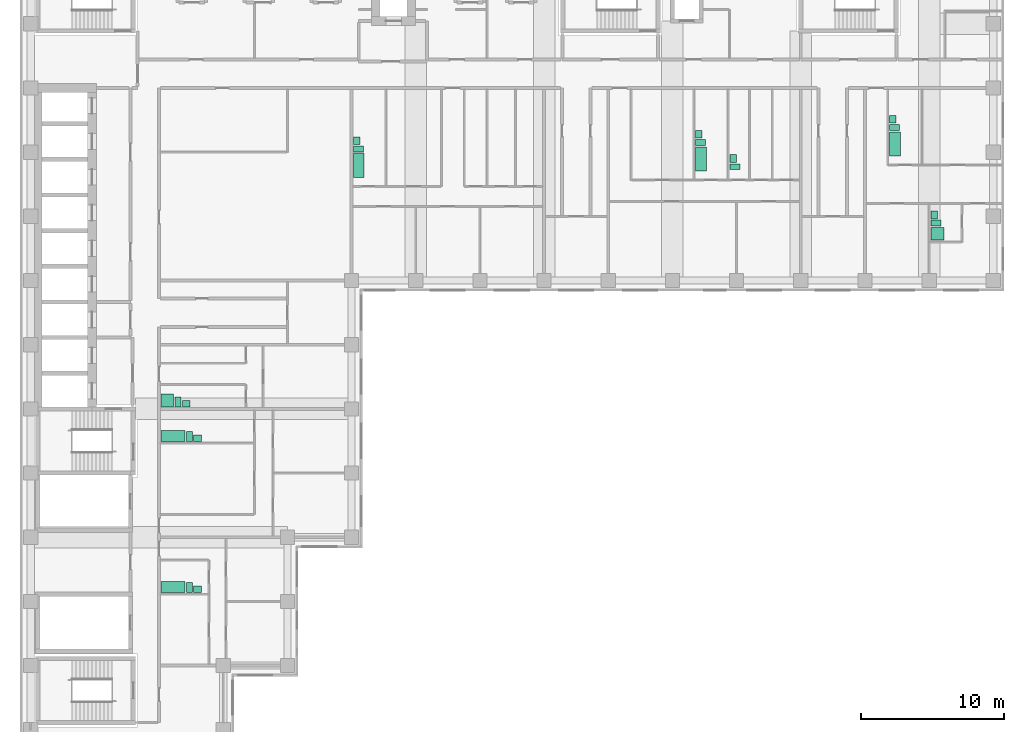
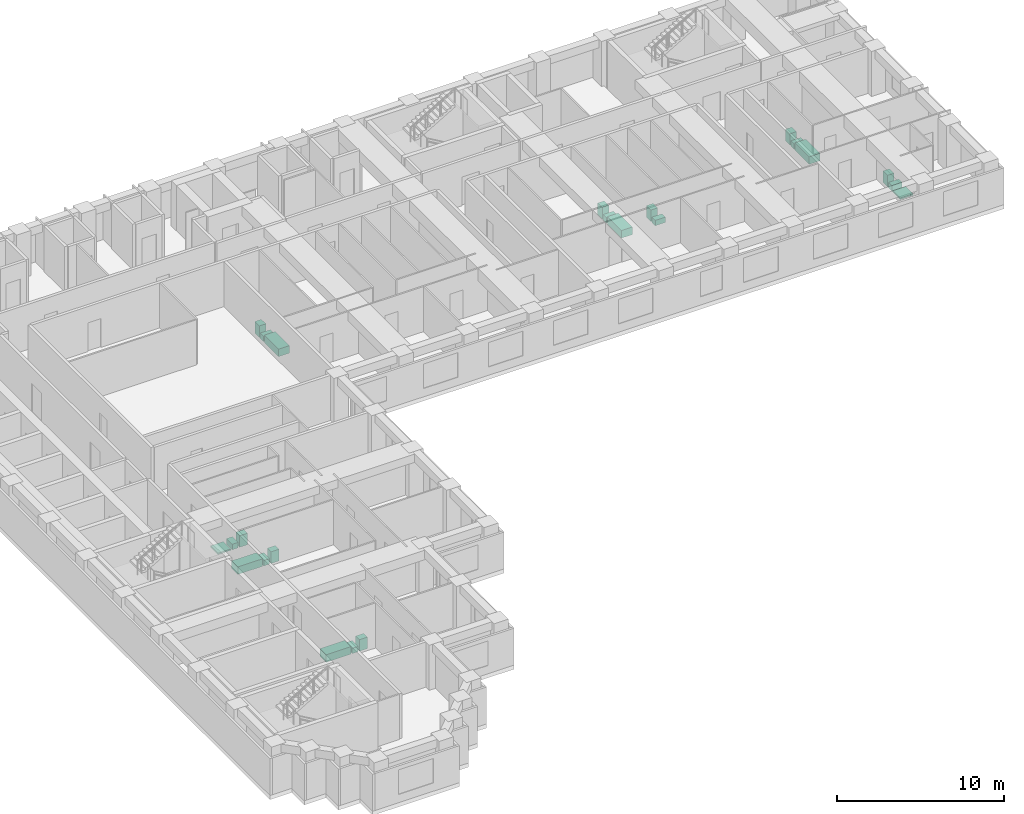
# One storey, part 11 of 11: 23 sanitary terminals.
"""IFC4 building model written with IfcOpenShell, lengths in metres."""

from ifc_helpers import new_model, si_unit, direction, frame, origin, origin_2d, place, context, subcontext, project, spatial, rectangle, extrude, material, type_object, element, save


model = new_model("IFC4")

# Units and contexts
model_context = context("Model", 3, precision=1e-05, world=origin(), true_north=direction((0.0, 1.0)))
body_context = subcontext(model_context, "Body", "Model", "MODEL_VIEW")
ifc_project = project(units=[si_unit("LENGTHUNIT", "METRE"), si_unit("AREAUNIT", "SQUARE_METRE"), si_unit("VOLUMEUNIT", "CUBIC_METRE"), si_unit("PLANEANGLEUNIT", "RADIAN"), si_unit("MASSUNIT", "GRAM", prefix="KILO")], contexts=[model_context])

# Site, building, storey
site_placement = place(None, origin())
site = spatial("IfcSite", under=ifc_project, at=site_placement, CompositionType="ELEMENT")
building_placement = place(site_placement, origin())
building = spatial("IfcBuilding", under=site, at=building_placement, Name="Firuza Court", CompositionType="ELEMENT")
storey_placement = place(building_placement, frame((0.0, 0.0, 134.0)))
storey = spatial("IfcBuildingStorey", under=building, at=storey_placement, Name="L33", CompositionType="ELEMENT", Elevation=134.0)

# Sanitary terminals
ifc_material_1 = material(Name="Vitreous china", Category="ceramic")
sanitary_terminal_type_1 = type_object("IfcSanitaryTerminalType", Name="Fixture Bath", PredefinedType="BATH", material=ifc_material_1)
for number, where, z_axis, x_axis, name in (
    (1, (23.0048828125, 44.080078125, 0.0), (0.0, 0.0, 1.0), (1.0, 0.0, 0.0), "Bath"),
    (2, (47.0048828125, 44.530029296875, 0.0), (0.0, 0.0, 1.0), (1.0, 0.0, 0.0), "Bath"),
    (3, (60.60498046875, 45.580078125, 0.0), (0.0, 0.0, 1.0), (1.0, 0.0, 0.0), "Bath"),
):
    element("IfcSanitaryTerminal", number, at=place(storey_placement, frame(where, z_axis=z_axis, x_axis=x_axis)), inside=storey, type_object=sanitary_terminal_type_1, Name=name, PredefinedType="BATH", context=body_context, shape_type="SweptSolid", body=[
        extrude(rectangle(XDim=0.75, YDim=1.699951171875, at=origin_2d()), origin(), (0.0, 0.0, 1.0), 0.550048828125),
    ])
for number, where, z_axis, x_axis, name in (
    (4, (9.97998046875, 25.10498046875, 0.0), (0.0, 0.0, 1.0), (1.0, 0.0, 0.0), "Bath"),
    (5, (9.97998046875, 14.5048828125, 0.0), (0.0, 0.0, 1.0), (1.0, 0.0, 0.0), "Bath"),
):
    element("IfcSanitaryTerminal", number, at=place(storey_placement, frame(where, z_axis=z_axis, x_axis=x_axis)), inside=storey, type_object=sanitary_terminal_type_1, Name=name, PredefinedType="BATH", context=body_context, shape_type="SweptSolid", body=[
        extrude(rectangle(XDim=1.699951171875, YDim=0.75, at=origin_2d()), origin(), (0.0, 0.0, 1.0), 0.550048828125),
    ])
ifc_material_2 = material(Name="Vitreous china", Category="ceramic")
sanitary_terminal_type_2 = type_object("IfcSanitaryTerminalType", Name="Fixture Shower tray", PredefinedType="SHOWER", material=ifc_material_2)
for number, where, z_axis, x_axis, name in (
    (6, (63.580078125, 39.280029296875, 0.0), (0.0, 0.0, 1.0), (1.0, 0.0, 0.0), "Shower tray"),
    (7, (9.580078125, 27.580078125, 0.0), (0.0, 0.0, 1.0), (1.0, 0.0, 0.0), "Shower tray"),
):
    element("IfcSanitaryTerminal", number, at=place(storey_placement, frame(where, z_axis=z_axis, x_axis=x_axis)), inside=storey, type_object=sanitary_terminal_type_2, Name=name, PredefinedType="SHOWER", context=body_context, shape_type="SweptSolid", body=[
        extrude(rectangle(XDim=0.89990234375, YDim=0.89990234375, at=origin_2d()), origin(), (0.0, 0.0, 1.0), 0.10009765625),
    ])
ifc_material_3 = material(Name="Vitreous china", Category="ceramic")
sanitary_terminal_type_3 = type_object("IfcSanitaryTerminalType", Name="Fixture WC pan", PredefinedType="TOILETPAN", material=ifc_material_3)
for number, where, z_axis, x_axis, name in (
    (8, (22.97998046875, 45.22998046875, 0.0), (0.0, 0.0, 1.0), (1.0, 0.0, 0.0), "WC pan"),
    (9, (46.97998046875, 45.679931640625, 0.0), (0.0, 0.0, 1.0), (1.0, 0.0, 0.0), "WC pan"),
    (10, (49.3798828125, 43.97998046875, 0.0), (0.0, 0.0, 1.0), (1.0, 0.0, 0.0), "WC pan"),
    (11, (60.580078125, 46.72998046875, 0.0), (0.0, 0.0, 1.0), (1.0, 0.0, 0.0), "WC pan"),
    (12, (63.47998046875, 40.030029296875, 0.0), (0.0, 0.0, 1.0), (1.0, 0.0, 0.0), "WC pan"),
):
    element("IfcSanitaryTerminal", number, at=place(storey_placement, frame(where, z_axis=z_axis, x_axis=x_axis)), inside=storey, type_object=sanitary_terminal_type_3, Name=name, PredefinedType="TOILETPAN", context=body_context, shape_type="SweptSolid", body=[
        extrude(rectangle(XDim=0.699951171875, YDim=0.39990234375, at=origin_2d()), origin(), (0.0, 0.0, 1.0), 0.39990234375),
    ])
for number, where, z_axis, x_axis, name in (
    (13, (10.330078125, 27.47998046875, 0.0), (0.0, 0.0, 1.0), (1.0, 0.0, 0.0), "WC pan"),
    (14, (11.1298828125, 25.080078125, 0.0), (0.0, 0.0, 1.0), (1.0, 0.0, 0.0), "WC pan"),
    (15, (11.1298828125, 14.47998046875, 0.0), (0.0, 0.0, 1.0), (1.0, 0.0, 0.0), "WC pan"),
):
    element("IfcSanitaryTerminal", number, at=place(storey_placement, frame(where, z_axis=z_axis, x_axis=x_axis)), inside=storey, type_object=sanitary_terminal_type_3, Name=name, PredefinedType="TOILETPAN", context=body_context, shape_type="SweptSolid", body=[
        extrude(rectangle(XDim=0.39990234375, YDim=0.699951171875, at=origin_2d()), origin(), (0.0, 0.0, 1.0), 0.39990234375),
    ])
ifc_material_4 = material(Name="Vitreous china", Category="ceramic")
sanitary_terminal_type_4 = type_object("IfcSanitaryTerminalType", Name="Fixture Washbasin", PredefinedType="WASHHANDBASIN", material=ifc_material_4)
for number, where, z_axis, x_axis, name in (
    (16, (22.85498046875, 45.804931640625, 0.0), (0.0, 0.0, 1.0), (1.0, 0.0, 0.0), "Washbasin"),
    (17, (46.85498046875, 46.2548828125, 0.0), (0.0, 0.0, 1.0), (1.0, 0.0, 0.0), "Washbasin"),
    (18, (49.2548828125, 44.554931640625, 0.0), (0.0, 0.0, 1.0), (1.0, 0.0, 0.0), "Washbasin"),
    (19, (60.455078125, 47.304931640625, 0.0), (0.0, 0.0, 1.0), (1.0, 0.0, 0.0), "Washbasin"),
    (20, (63.35498046875, 40.60498046875, 0.0), (0.0, 0.0, 1.0), (1.0, 0.0, 0.0), "Washbasin"),
):
    element("IfcSanitaryTerminal", number, at=place(storey_placement, frame(where, z_axis=z_axis, x_axis=x_axis)), inside=storey, type_object=sanitary_terminal_type_4, Name=name, PredefinedType="WASHHANDBASIN", context=body_context, shape_type="SweptSolid", body=[
        extrude(rectangle(XDim=0.449951171875, YDim=0.550048828125, at=origin_2d()), origin(), (0.0, 0.0, 1.0), 0.85009765625),
    ])
for number, where, z_axis, x_axis, name in (
    (21, (10.905029296875, 27.35498046875, 0.0), (0.0, 0.0, 1.0), (1.0, 0.0, 0.0), "Washbasin"),
    (22, (11.705078125, 24.955078125, 0.0), (0.0, 0.0, 1.0), (1.0, 0.0, 0.0), "Washbasin"),
    (23, (11.705078125, 14.35498046875, 0.0), (0.0, 0.0, 1.0), (1.0, 0.0, 0.0), "Washbasin"),
):
    element("IfcSanitaryTerminal", number, at=place(storey_placement, frame(where, z_axis=z_axis, x_axis=x_axis)), inside=storey, type_object=sanitary_terminal_type_4, Name=name, PredefinedType="WASHHANDBASIN", context=body_context, shape_type="SweptSolid", body=[
        extrude(rectangle(XDim=0.550048828125, YDim=0.449951171875, at=origin_2d()), origin(), (0.0, 0.0, 1.0), 0.85009765625),
    ])

save(model, "model.ifc")
